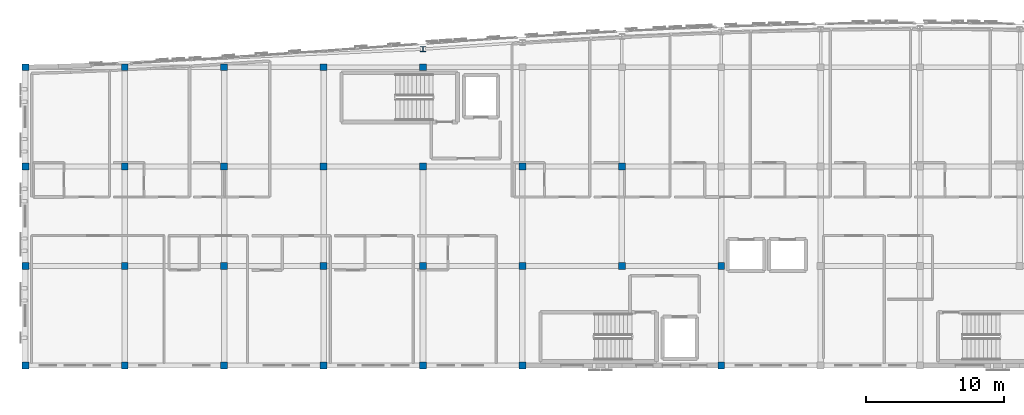
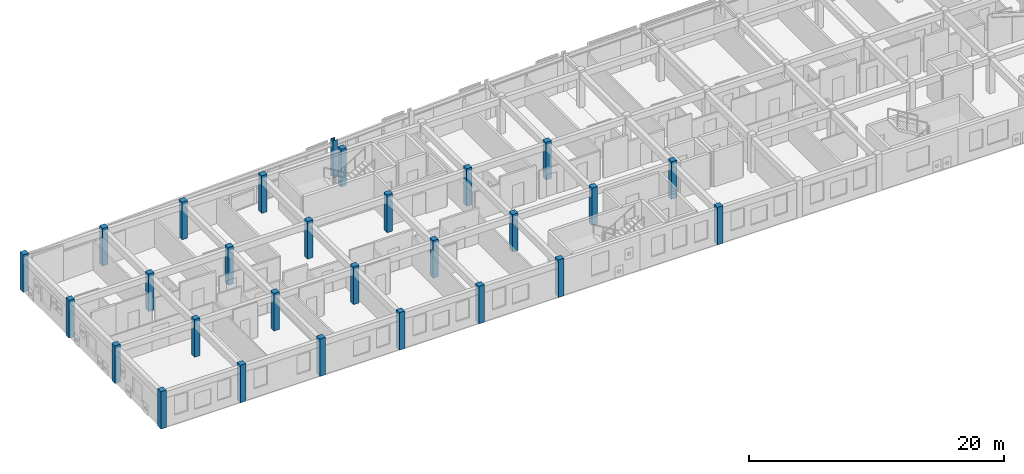
# One storey, part 1 of 34: 28 columns.
"""IFC4 building model written with IfcOpenShell, lengths in metres."""

from ifc_helpers import new_model, si_unit, direction, frame, origin, origin_2d, place, context, subcontext, project, spatial, rectangle, i_section, extrude, material, material_profile, profile_set, type_object, element, save


model = new_model("IFC4")

# Units and contexts
model_context = context("Model", 3, precision=1e-05, world=origin(), true_north=direction((0.0, 1.0)))
body_context = subcontext(model_context, "Body", "Model", "MODEL_VIEW")
ifc_project = project(units=[si_unit("LENGTHUNIT", "METRE"), si_unit("AREAUNIT", "SQUARE_METRE"), si_unit("VOLUMEUNIT", "CUBIC_METRE"), si_unit("PLANEANGLEUNIT", "RADIAN"), si_unit("MASSUNIT", "GRAM", prefix="KILO")], contexts=[model_context])

# Site, building, storey
site_placement = place(None, origin())
site = spatial("IfcSite", under=ifc_project, at=site_placement, CompositionType="ELEMENT")
building_placement = place(site_placement, origin())
building = spatial("IfcBuilding", under=site, at=building_placement, Name="Carrowvane Square Congress Hotel", CompositionType="ELEMENT")
storey_placement = place(building_placement, frame((0.0, 0.0, 40.800048828125)))
storey = spatial("IfcBuildingStorey", under=building, at=storey_placement, Name="L10", CompositionType="ELEMENT", Elevation=40.800048828125)

# Columns
ifc_material_1 = material(Name="Concrete C40/50", Category="concrete")
ifc_material_profile_1 = material_profile(ifc_material_1, rectangle(XDim=0.5, YDim=0.5, at=origin_2d()), Name="RC 500x500")
ifc_profile_set_1 = profile_set([ifc_material_profile_1], Name="Concrete C40/50")
column_type_1 = type_object("IfcColumnType", Name="COL-RC-500", PredefinedType="COLUMN", material=ifc_profile_set_1)
for number, where, z_axis, x_axis, name in (
    (1, (33.199951171875, 91.800048828125, 0.0), (0.0, 0.0, 1.0), (1.0, 0.0, 0.0), "L10 column 4/N"),
    (2, (33.199951171875, 99.0, 0.0), (0.0, 0.0, 1.0), (1.0, 0.0, 0.0), "L10 column 4/P"),
    (3, (33.199951171875, 106.199951171875, 0.0), (0.0, 0.0, 1.0), (1.0, 0.0, 0.0), "L10 column 4/Q"),
    (4, (33.199951171875, 113.39990234375, 0.0), (0.0, 0.0, 1.0), (1.0, 0.0, 0.0), "L10 column 4/R"),
    (5, (40.39990234375, 91.800048828125, 0.0), (0.0, 0.0, 1.0), (1.0, 0.0, 0.0), "L10 column 5/N"),
    (6, (40.39990234375, 99.0, 0.0), (0.0, 0.0, 1.0), (1.0, 0.0, 0.0), "L10 column 5/P"),
    (7, (40.39990234375, 106.199951171875, 0.0), (0.0, 0.0, 1.0), (1.0, 0.0, 0.0), "L10 column 5/Q"),
    (8, (40.39990234375, 113.39990234375, 0.0), (0.0, 0.0, 1.0), (1.0, 0.0, 0.0), "L10 column 5/R"),
    (9, (47.60009765625, 91.800048828125, 0.0), (0.0, 0.0, 1.0), (1.0, 0.0, 0.0), "L10 column 6/N"),
    (10, (47.60009765625, 99.0, 0.0), (0.0, 0.0, 1.0), (1.0, 0.0, 0.0), "L10 column 6/P"),
    (11, (47.60009765625, 106.199951171875, 0.0), (0.0, 0.0, 1.0), (1.0, 0.0, 0.0), "L10 column 6/Q"),
    (12, (47.60009765625, 113.39990234375, 0.0), (0.0, 0.0, 1.0), (1.0, 0.0, 0.0), "L10 column 6/R"),
    (13, (54.800048828125, 91.800048828125, 0.0), (0.0, 0.0, 1.0), (1.0, 0.0, 0.0), "L10 column 7/N"),
    (14, (54.800048828125, 99.0, 0.0), (0.0, 0.0, 1.0), (1.0, 0.0, 0.0), "L10 column 7/P"),
    (15, (54.800048828125, 106.199951171875, 0.0), (0.0, 0.0, 1.0), (1.0, 0.0, 0.0), "L10 column 7/Q"),
    (16, (54.800048828125, 113.39990234375, 0.0), (0.0, 0.0, 1.0), (1.0, 0.0, 0.0), "L10 column 7/R"),
    (17, (62.0, 91.800048828125, 0.0), (0.0, 0.0, 1.0), (1.0, 0.0, 0.0), "L10 column 8/N"),
    (18, (62.0, 99.0, 0.0), (0.0, 0.0, 1.0), (1.0, 0.0, 0.0), "L10 column 8/P"),
    (19, (62.0, 106.199951171875, 0.0), (0.0, 0.0, 1.0), (1.0, 0.0, 0.0), "L10 column 8/Q"),
    (20, (62.0, 113.39990234375, 0.0), (0.0, 0.0, 1.0), (1.0, 0.0, 0.0), "L10 column 8/R"),
    (21, (69.199951171875, 91.800048828125, 0.0), (0.0, 0.0, 1.0), (1.0, 0.0, 0.0), "L10 column 9/N"),
    (22, (69.199951171875, 99.0, 0.0), (0.0, 0.0, 1.0), (1.0, 0.0, 0.0), "L10 column 9/P"),
    (23, (69.199951171875, 106.199951171875, 0.0), (0.0, 0.0, 1.0), (1.0, 0.0, 0.0), "L10 column 9/Q"),
    (24, (76.39990234375, 99.0, 0.0), (0.0, 0.0, 1.0), (1.0, 0.0, 0.0), "L10 column 10/P"),
    (25, (76.39990234375, 106.199951171875, 0.0), (0.0, 0.0, 1.0), (1.0, 0.0, 0.0), "L10 column 10/Q"),
    (26, (83.60009765625, 91.800048828125, 0.0), (0.0, 0.0, 1.0), (1.0, 0.0, 0.0), "L10 column 11/N"),
    (27, (83.60009765625, 99.0, 0.0), (0.0, 0.0, 1.0), (1.0, 0.0, 0.0), "L10 column 11/P"),
):
    element("IfcColumn", number, at=place(storey_placement, frame(where, z_axis=z_axis, x_axis=x_axis)), inside=storey, type_object=column_type_1, Name=name, PredefinedType="COLUMN", context=body_context, shape_type="SweptSolid", body=[
        extrude(rectangle(XDim=0.5, YDim=0.5, at=origin_2d()), origin(), (0.0, 0.0, 1.0), 3.599853515625),
    ])
ifc_material_2 = material(Name="Steel S355", Category="steel")
ifc_material_profile_2 = material_profile(ifc_material_2, i_section(OverallWidth=0.394775390625, OverallDepth=0.381103515625, WebThickness=0.018310546875, FlangeThickness=0.0302734375, FilletRadius=0.01513671875, at=origin_2d()), Name="UKC 356x406x235")
ifc_profile_set_2 = profile_set([ifc_material_profile_2], Name="Steel S355")
column_type_2 = type_object("IfcColumnType", Name="COL-ST-UKC406", PredefinedType="COLUMN", material=ifc_profile_set_2)
column_placement = place(storey_placement, frame((62.0, 114.7060546875, 0.0), z_axis=(0.0, 0.0, 1.0), x_axis=(1.0, 0.0, 0.0)))
element("IfcColumn", 28, at=column_placement, inside=storey, type_object=column_type_2, Name="L10 column 8/ARC", PredefinedType="COLUMN", context=body_context, shape_type="SweptSolid", body=[
    extrude(i_section(OverallWidth=0.394775390625, OverallDepth=0.381103515625, WebThickness=0.018310546875, FlangeThickness=0.0302734375, FilletRadius=0.01513671875, at=origin_2d()), origin(), (0.0, 0.0, 1.0), 3.599853515625),
])

save(model, "model.ifc")
